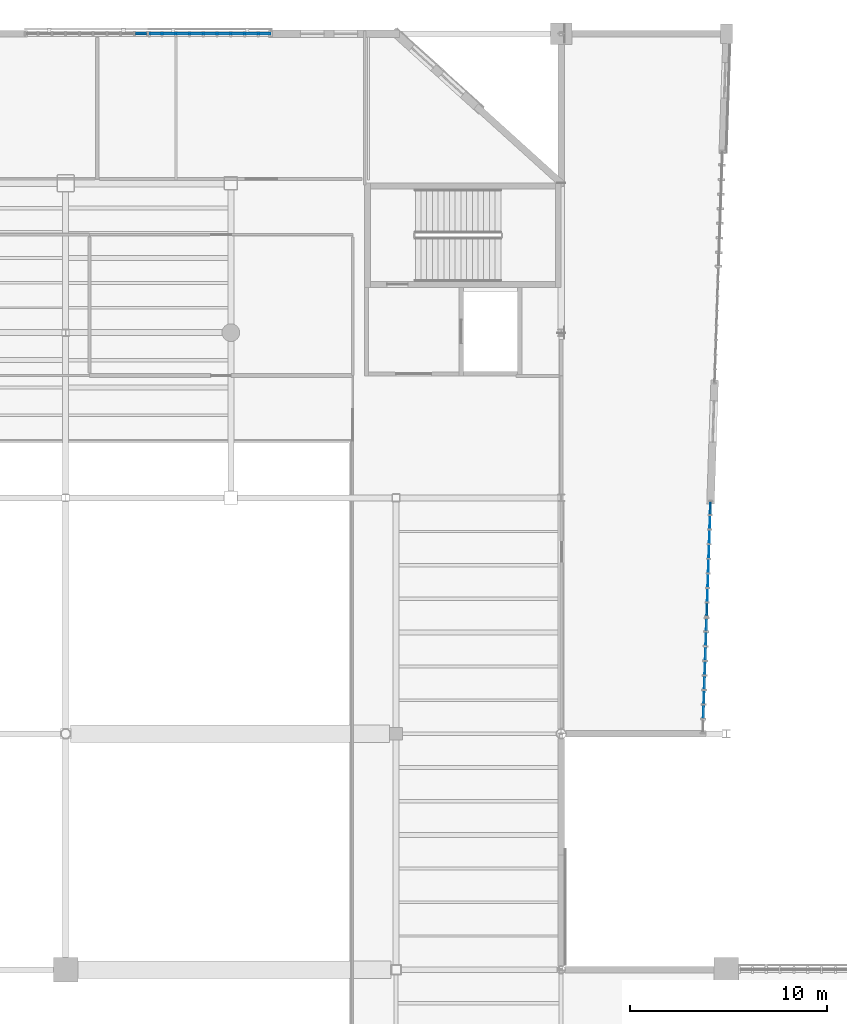
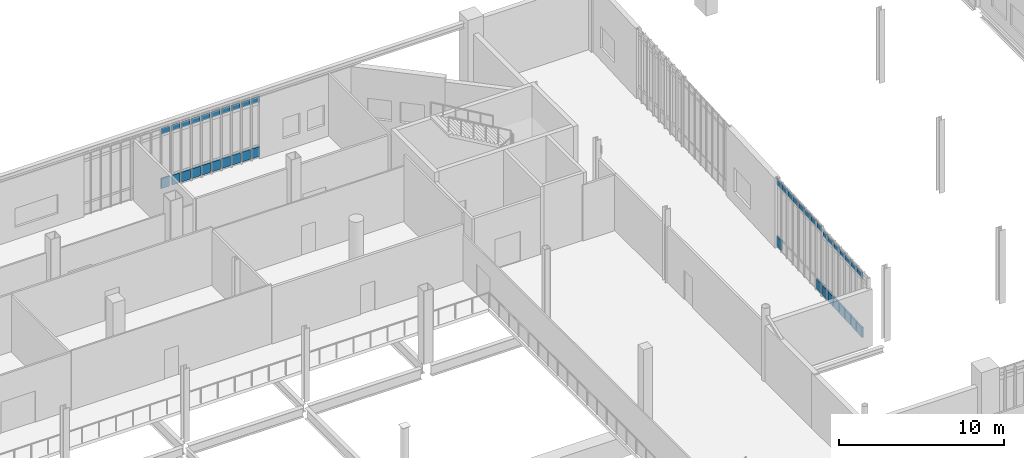
# One storey, part 98 of 127: 44 plates, 4 elements without a shape of their own.
"""IFC4 building model written with IfcOpenShell, lengths in metres."""

import ifcopenshell
import ifcopenshell.guid

model = None  # the IFC model being written
_history = None  # IfcOwnerHistory: only IFC2X3 demands one
_inside = {}  # id of a spatial element -> (the spatial element, [elements in it])
_under = {}  # id of a project, library or spatial element -> (it, [spatial elements below it])
_declared = {}  # id of a project -> (the project, [libraries it declares])
_typed = {}  # id of a type object -> (the type object, [elements of that type])
_made_of = {}  # id of a material, layer set ... -> (it, [elements and type objects made of it])


def new_model(schema):
    """Start an empty IFC model of exactly this schema.

    Asked for "IFC4X3", IfcOpenShell would pick the latest addendum, in which some entities
    have other attributes; the version numbers below select the first issue.
    IFC2X3 requires an IfcOwnerHistory on every rooted entity: one is made here for all.
    """
    global model, _history
    if schema == "IFC4X3":
        model = ifcopenshell.file(schema_version=(4, 3, 0, 0))
    else:
        model = ifcopenshell.file(schema=schema)
    _inside.clear()
    _under.clear()
    _declared.clear()
    _typed.clear()
    _made_of.clear()
    _history = None
    if model.schema == "IFC2X3":
        org = make("IfcOrganization", Name="unknown")
        user = make(
            "IfcPersonAndOrganization",
            ThePerson=make("IfcPerson", FamilyName="unknown"),
            TheOrganization=org,
        )
        app = make(
            "IfcApplication",
            ApplicationDeveloper=org,
            Version="unknown",
            ApplicationFullName="unknown",
            ApplicationIdentifier="unknown",
        )
        _history = make(
            "IfcOwnerHistory",
            OwningUser=user,
            OwningApplication=app,
            ChangeAction="ADDED",
            CreationDate=0,
        )
    return model


def make(cls, **values):
    """One entity of the class cls with the attributes given. An attribute that is None is left unset."""
    return model.create_entity(
        cls, **{name: value for name, value in values.items() if value is not None}
    )


def rooted(cls, **values):
    """An entity with a GlobalId (a new one), such as an element, a storey or a relation."""
    return make(cls, GlobalId=ifcopenshell.guid.new(), OwnerHistory=_history, **values)


def si_unit(unit_type, name, prefix=None):
    """IfcSIUnit, for example si_unit("LENGTHUNIT", "METRE", prefix="MILLI")."""
    return make("IfcSIUnit", UnitType=unit_type, Prefix=prefix, Name=name)


def assignment(units):
    """IfcUnitAssignment: the units of a project."""
    return None if units is None else make("IfcUnitAssignment", Units=units)


def point(xyz):
    """IfcCartesianPoint."""
    return None if xyz is None else make("IfcCartesianPoint", Coordinates=xyz)


def direction(xyz):
    """IfcDirection."""
    return None if xyz is None else make("IfcDirection", DirectionRatios=xyz)


def frame(location, z_axis=None, x_axis=None):
    """IfcAxis2Placement3D, a coordinate frame: its origin and axes. An axis left out is left unset."""
    return make(
        "IfcAxis2Placement3D",
        Location=point(location),
        Axis=direction(z_axis),
        RefDirection=direction(x_axis),
    )


def frame_2d(location, x_axis=None):
    """IfcAxis2Placement2D, a coordinate frame in the plane: its origin and x axis."""
    return make(
        "IfcAxis2Placement2D", Location=point(location), RefDirection=direction(x_axis)
    )


def origin():
    """The frame at (0, 0, 0) with its axes left unset."""
    return frame((0.0, 0.0, 0.0))


def origin_2d():
    """The frame at (0, 0) in the plane with its x axis left unset."""
    return frame_2d((0.0, 0.0))


def place(relative_to, where):
    """IfcLocalPlacement: puts the frame where relative to a parent placement (None: the world)."""
    return make(
        "IfcLocalPlacement", PlacementRelTo=relative_to, RelativePlacement=where
    )


def context(
    kind, dimensions, precision=None, world=None, true_north=None, identifier=None
):
    """IfcGeometricRepresentationContext, for example the 3D "Model" context."""
    return make(
        "IfcGeometricRepresentationContext",
        ContextIdentifier=identifier,
        ContextType=kind,
        CoordinateSpaceDimension=dimensions,
        Precision=precision,
        WorldCoordinateSystem=world,
        TrueNorth=true_north,
    )


def subcontext(parent, identifier, kind, view, scale=None):
    """IfcGeometricRepresentationSubContext, for example "Body" below "Model"."""
    return make(
        "IfcGeometricRepresentationSubContext",
        ContextIdentifier=identifier,
        ContextType=kind,
        ParentContext=parent,
        TargetScale=scale,
        TargetView=view,
    )


def project(units=None, contexts=None):
    """IfcProject with its units and contexts."""
    return rooted(
        "IfcProject",
        Name="project",
        RepresentationContexts=contexts,
        UnitsInContext=assignment(units),
    )


def spatial(cls, under=None, at=None, **own):
    """A site, building, storey or space (cls), placed at a placement, below another one or the project."""
    s = rooted(cls, ObjectPlacement=at, **own)
    if under is not None:
        _under.setdefault(under.id(), (under, []))[1].append(s)
    return s


def profile(cls, at=None, kind="AREA", **sizes):
    """A parametric profile (cls). Its sizes go by their IFC names, for example OverallWidth=200.0."""
    return make(cls, ProfileType=kind, Position=at, **sizes)


def rectangle(**sizes):
    """IfcRectangleProfileDef."""
    return profile("IfcRectangleProfileDef", **sizes)


def extrude(swept, where, along, depth):
    """IfcExtrudedAreaSolid: the profile swept, set in the frame where, extruded along a direction by depth."""
    return make(
        "IfcExtrudedAreaSolid",
        SweptArea=swept,
        Position=where,
        ExtrudedDirection=direction(along),
        Depth=depth,
    )


def shape(context_of_items, identifier, shape_type, items):
    """IfcShapeRepresentation: the items that make up one representation, for example the "Body"."""
    return make(
        "IfcShapeRepresentation",
        ContextOfItems=context_of_items,
        RepresentationIdentifier=identifier,
        RepresentationType=shape_type,
        Items=items,
    )


def material(Name=None, Category=None):
    """IfcMaterial."""
    return make("IfcMaterial", Name=Name, Category=Category)


def layer(
    of_material, thickness, ventilated=None, Name=None, Category=None, Priority=None
):
    """IfcMaterialLayer: one layer of a wall or slab, of a material (None: an air gap)."""
    return make(
        "IfcMaterialLayer",
        Material=of_material,
        LayerThickness=thickness,
        IsVentilated=ventilated,
        Name=Name,
        Category=Category,
        Priority=Priority,
    )


def layer_set(layers, Name=None):
    """IfcMaterialLayerSet."""
    return make("IfcMaterialLayerSet", MaterialLayers=layers, LayerSetName=Name)


def made_of(thing, what):
    """Note that an element or type object is made of a material, layer set ...; save() writes the relation."""
    if what is not None:
        _made_of.setdefault(what.id(), (what, []))[1].append(thing)
    return thing


def type_object(cls, material=None, **own):
    """A type object (cls), such as IfcWallType, which elements share."""
    return made_of(rooted(cls, **own), material)


def element(
    cls,
    number,
    at=None,
    inside=None,
    cuts=None,
    type_object=None,
    material=None,
    context=None,
    identifier="Body",
    shape_type=None,
    held_by="IfcProductDefinitionShape",
    body=None,
    shapes=None,
    **own,
):
    """One element of the class cls, such as IfcWall. Its Tag is "e" and its number.

    at: its placement. inside: the storey or other place that contains it. cuts: it is an
    opening in that element (IfcRelVoidsElement). A single representation is given by context,
    identifier, shape_type and body (its items); several are given by shapes. held_by: the class
    of the entity that holds the representations. save() writes the other relations.
    """
    e = rooted(cls, Tag="e%d" % number, ObjectPlacement=at, **own)
    if body is not None:
        shapes = [shape(context, identifier, shape_type, body)]
    if shapes is not None:
        e.Representation = make(held_by, Representations=shapes)
    if inside is not None:
        _inside.setdefault(inside.id(), (inside, []))[1].append(e)
    if cuts is not None:
        rooted(
            "IfcRelVoidsElement", RelatingBuildingElement=cuts, RelatedOpeningElement=e
        )
    if type_object is not None:
        _typed.setdefault(type_object.id(), (type_object, []))[1].append(e)
    return made_of(e, material)


def aggregate(whole, parts):
    """IfcRelAggregates: a whole, such as a stair, and the parts it consists of."""
    return rooted("IfcRelAggregates", RelatingObject=whole, RelatedObjects=parts)


def save(model, path):
    """Write the relations noted so far, then the file.

    IfcRelAggregates (storeys below a building ...), IfcRelContainedInSpatialStructure (elements
    in a storey), IfcRelDefinesByType, IfcRelAssociatesMaterial and IfcRelDeclares: one each for
    every whole, place, type object, material and project.
    """
    for whole, parts in _under.values():
        aggregate(whole, parts)
    for where, things in _inside.values():
        rooted(
            "IfcRelContainedInSpatialStructure",
            RelatedElements=things,
            RelatingStructure=where,
        )
    for kind, things in _typed.values():
        rooted("IfcRelDefinesByType", RelatedObjects=things, RelatingType=kind)
    for what, things in _made_of.values():
        rooted("IfcRelAssociatesMaterial", RelatedObjects=things, RelatingMaterial=what)
    for by, libraries in _declared.values():
        rooted("IfcRelDeclares", RelatingContext=by, RelatedDefinitions=libraries)
    model.write(path)


model = new_model("IFC4")

# Units and contexts
model_context = context("Model", 3, precision=1e-05, world=origin(), true_north=direction((0.0, 1.0)))
body_context = subcontext(model_context, "Body", "Model", "MODEL_VIEW")
ifc_project = project(units=[si_unit("LENGTHUNIT", "METRE"), si_unit("AREAUNIT", "SQUARE_METRE"), si_unit("VOLUMEUNIT", "CUBIC_METRE"), si_unit("PLANEANGLEUNIT", "RADIAN"), si_unit("MASSUNIT", "GRAM", prefix="KILO")], contexts=[model_context])

# Site, building, storey
site_placement = place(None, origin())
site = spatial("IfcSite", under=ifc_project, at=site_placement, CompositionType="ELEMENT")
building_placement = place(site_placement, origin())
building = spatial("IfcBuilding", under=site, at=building_placement, Name="Larkvane Passage Sports Hall", CompositionType="ELEMENT")
storey_placement = place(building_placement, frame((0.0, 0.0, 5.39990234375)))
storey = spatial("IfcBuildingStorey", under=building, at=storey_placement, Name="L01", CompositionType="ELEMENT", Elevation=5.39990234375)

# Curtain wall, plates
ifc_material_1 = material(Name="Thermally broken aluminium and low-E glazing", Category="aluminium")
curtain_wall_type_1 = type_object("IfcCurtainWallType", Name="CW-STICK-FOYER", PredefinedType="USERDEFINED", material=ifc_material_1)
curtain_wall_1_placement = place(storey_placement, origin())
curtain_wall_1 = element("IfcCurtainWall", 1, at=curtain_wall_1_placement, inside=storey, type_object=curtain_wall_type_1, Name="Curtain wall CW5-L01-042", ObjectType="STICK CURTAIN WALL", PredefinedType="USERDEFINED")
ifc_material_2 = material(Name="Fire-stopped shadow-box spandrel panel")
ifc_layer_1 = layer(ifc_material_2, 0.10498046875)
ifc_layer_set_1 = layer_set([ifc_layer_1], Name="Fire-stopped shadow-box spandrel panel")
plate_type_1 = type_object("IfcPlateType", Name="CWP-SPD-105", PredefinedType="CURTAIN_PANEL", material=ifc_layer_set_1)
plate_1_placement = place(storey_placement, frame((72.972412109375, 99.199951171875, 0.08984375), z_axis=(0.0, 0.0, 1.0), x_axis=(1.0, 0.0, 0.0)))
plate_1 = element("IfcPlate", 2, at=plate_1_placement, type_object=plate_type_1, Name="CW-03 panel 1.1", PredefinedType="CURTAIN_PANEL", context=body_context, shape_type="SweptSolid", body=[
    extrude(rectangle(XDim=0.56494140625, YDim=0.10498046875, at=origin_2d()), origin(), (0.0, 0.0, 1.0), 0.715087890625),
])
plate_2_placement = place(storey_placement, frame((73.64990234375, 99.199951171875, 0.08984375), z_axis=(0.0, 0.0, 1.0), x_axis=(1.0, 0.0, 0.0)))
plate_2 = element("IfcPlate", 3, at=plate_2_placement, type_object=plate_type_1, Name="CW-03 panel 2.1", PredefinedType="CURTAIN_PANEL", context=body_context, shape_type="SweptSolid", body=[
    extrude(rectangle(XDim=0.610107421875, YDim=0.10498046875, at=origin_2d()), origin(), (0.0, 0.0, 1.0), 0.715087890625),
])
plate_3_placement = place(storey_placement, frame((74.35009765625, 99.199951171875, 0.08984375), z_axis=(0.0, 0.0, 1.0), x_axis=(1.0, 0.0, 0.0)))
plate_3 = element("IfcPlate", 4, at=plate_3_placement, type_object=plate_type_1, Name="CW-03 panel 3.1", PredefinedType="CURTAIN_PANEL", context=body_context, shape_type="SweptSolid", body=[
    extrude(rectangle(XDim=0.610107421875, YDim=0.10498046875, at=origin_2d()), origin(), (0.0, 0.0, 1.0), 0.715087890625),
])
plate_4_placement = place(storey_placement, frame((75.050048828125, 99.199951171875, 0.08984375), z_axis=(0.0, 0.0, 1.0), x_axis=(1.0, 0.0, 0.0)))
plate_4 = element("IfcPlate", 5, at=plate_4_placement, type_object=plate_type_1, Name="CW-03 panel 4.1", PredefinedType="CURTAIN_PANEL", context=body_context, shape_type="SweptSolid", body=[
    extrude(rectangle(XDim=0.610107421875, YDim=0.10498046875, at=origin_2d()), origin(), (0.0, 0.0, 1.0), 0.715087890625),
])
plate_5_placement = place(storey_placement, frame((75.75, 99.199951171875, 0.08984375), z_axis=(0.0, 0.0, 1.0), x_axis=(1.0, 0.0, 0.0)))
plate_5 = element("IfcPlate", 6, at=plate_5_placement, type_object=plate_type_1, Name="CW-03 panel 5.1", PredefinedType="CURTAIN_PANEL", context=body_context, shape_type="SweptSolid", body=[
    extrude(rectangle(XDim=0.610107421875, YDim=0.10498046875, at=origin_2d()), origin(), (0.0, 0.0, 1.0), 0.715087890625),
])
plate_6_placement = place(storey_placement, frame((76.449951171875, 99.199951171875, 0.08984375), z_axis=(0.0, 0.0, 1.0), x_axis=(1.0, 0.0, 0.0)))
plate_6 = element("IfcPlate", 7, at=plate_6_placement, type_object=plate_type_1, Name="CW-03 panel 6.1", PredefinedType="CURTAIN_PANEL", context=body_context, shape_type="SweptSolid", body=[
    extrude(rectangle(XDim=0.610107421875, YDim=0.10498046875, at=origin_2d()), origin(), (0.0, 0.0, 1.0), 0.715087890625),
])
plate_7_placement = place(storey_placement, frame((77.14990234375, 99.199951171875, 0.08984375), z_axis=(0.0, 0.0, 1.0), x_axis=(1.0, 0.0, 0.0)))
plate_7 = element("IfcPlate", 8, at=plate_7_placement, type_object=plate_type_1, Name="CW-03 panel 7.1", PredefinedType="CURTAIN_PANEL", context=body_context, shape_type="SweptSolid", body=[
    extrude(rectangle(XDim=0.610107421875, YDim=0.10498046875, at=origin_2d()), origin(), (0.0, 0.0, 1.0), 0.715087890625),
])
plate_8_placement = place(storey_placement, frame((77.85009765625, 99.199951171875, 0.08984375), z_axis=(0.0, 0.0, 1.0), x_axis=(1.0, 0.0, 0.0)))
plate_8 = element("IfcPlate", 9, at=plate_8_placement, type_object=plate_type_1, Name="CW-03 panel 8.1", PredefinedType="CURTAIN_PANEL", context=body_context, shape_type="SweptSolid", body=[
    extrude(rectangle(XDim=0.610107421875, YDim=0.10498046875, at=origin_2d()), origin(), (0.0, 0.0, 1.0), 0.715087890625),
])
plate_9_placement = place(storey_placement, frame((78.527587890625, 99.199951171875, 0.08984375), z_axis=(0.0, 0.0, 1.0), x_axis=(1.0, 0.0, 0.0)))
plate_9 = element("IfcPlate", 10, at=plate_9_placement, type_object=plate_type_1, Name="CW-03 panel 9.1", PredefinedType="CURTAIN_PANEL", context=body_context, shape_type="SweptSolid", body=[
    extrude(rectangle(XDim=0.56494140625, YDim=0.10498046875, at=origin_2d()), origin(), (0.0, 0.0, 1.0), 0.715087890625),
])

curtain_wall_2_placement = place(storey_placement, origin())
curtain_wall_2 = element("IfcCurtainWall", 11, at=curtain_wall_2_placement, inside=storey, type_object=curtain_wall_type_1, Name="Curtain wall CW5-L01-046", ObjectType="STICK CURTAIN WALL", PredefinedType="USERDEFINED")
plate_10_placement = place(storey_placement, frame((100.98681640625, 69.142578125, 0.080078125), z_axis=(0.0, 0.0, 1.0), x_axis=(-0.033688920742, -0.999432367206, 0.0)))
plate_10 = element("IfcPlate", 12, at=plate_10_placement, type_object=plate_type_1, Name="CW-03 panel 1.1", PredefinedType="CURTAIN_PANEL", context=body_context, shape_type="SweptSolid", body=[
    extrude(rectangle(XDim=0.6220703125, YDim=0.10498046875, at=origin_2d()), origin(), (0.0, 0.0, 1.0), 0.72998046875),
])
plate_11_placement = place(storey_placement, frame((100.96240234375, 68.4208984375, 0.080078125), z_axis=(0.0, 0.0, 1.0), x_axis=(-0.033688920742, -0.999432367206, 0.0)))
plate_11 = element("IfcPlate", 13, at=plate_11_placement, type_object=plate_type_1, Name="CW-03 panel 2.1", PredefinedType="CURTAIN_PANEL", context=body_context, shape_type="SweptSolid", body=[
    extrude(rectangle(XDim=0.662109375, YDim=0.10498046875, at=origin_2d()), origin(), (0.0, 0.0, 1.0), 0.72998046875),
])
plate_12_placement = place(storey_placement, frame((100.9375, 67.67919921875, 0.080078125), z_axis=(0.0, 0.0, 1.0), x_axis=(-0.033688920742, -0.999432367206, 0.0)))
plate_12 = element("IfcPlate", 14, at=plate_12_placement, type_object=plate_type_1, Name="CW-03 panel 3.1", PredefinedType="CURTAIN_PANEL", context=body_context, shape_type="SweptSolid", body=[
    extrude(rectangle(XDim=0.662109375, YDim=0.10498046875, at=origin_2d()), origin(), (0.0, 0.0, 1.0), 0.72998046875),
])
plate_13_placement = place(storey_placement, frame((100.91259765625, 66.9375, 0.080078125), z_axis=(0.0, 0.0, 1.0), x_axis=(-0.033688920742, -0.999432367206, 0.0)))
plate_13 = element("IfcPlate", 15, at=plate_13_placement, type_object=plate_type_1, Name="CW-03 panel 4.1", PredefinedType="CURTAIN_PANEL", context=body_context, shape_type="SweptSolid", body=[
    extrude(rectangle(XDim=0.662109375, YDim=0.10498046875, at=origin_2d()), origin(), (0.0, 0.0, 1.0), 0.72998046875),
])
plate_14_placement = place(storey_placement, frame((100.887451171875, 66.19580078125, 0.080078125), z_axis=(0.0, 0.0, 1.0), x_axis=(-0.033688920742, -0.999432367206, 0.0)))
plate_14 = element("IfcPlate", 16, at=plate_14_placement, type_object=plate_type_1, Name="CW-03 panel 5.1", PredefinedType="CURTAIN_PANEL", context=body_context, shape_type="SweptSolid", body=[
    extrude(rectangle(XDim=0.662109375, YDim=0.10498046875, at=origin_2d()), origin(), (0.0, 0.0, 1.0), 0.72998046875),
])
plate_15_placement = place(storey_placement, frame((100.862548828125, 65.4541015625, 0.080078125), z_axis=(0.0, 0.0, 1.0), x_axis=(-0.033688920742, -0.999432367206, 0.0)))
plate_15 = element("IfcPlate", 17, at=plate_15_placement, type_object=plate_type_1, Name="CW-03 panel 6.1", PredefinedType="CURTAIN_PANEL", context=body_context, shape_type="SweptSolid", body=[
    extrude(rectangle(XDim=0.662109375, YDim=0.10498046875, at=origin_2d()), origin(), (0.0, 0.0, 1.0), 0.72998046875),
])
plate_16_placement = place(storey_placement, frame((100.83740234375, 64.71240234375, 0.080078125), z_axis=(0.0, 0.0, 1.0), x_axis=(-0.033688920742, -0.999432367206, 0.0)))
plate_16 = element("IfcPlate", 18, at=plate_16_placement, type_object=plate_type_1, Name="CW-03 panel 7.1", PredefinedType="CURTAIN_PANEL", context=body_context, shape_type="SweptSolid", body=[
    extrude(rectangle(XDim=0.662109375, YDim=0.10498046875, at=origin_2d()), origin(), (0.0, 0.0, 1.0), 0.72998046875),
])

# Curtain wall, plate
curtain_wall_type_2 = type_object("IfcCurtainWallType", Name="CW-UNIT-VEIL", PredefinedType="USERDEFINED", material=ifc_material_1)
curtain_wall_3_placement = place(storey_placement, origin())
curtain_wall_3 = element("IfcCurtainWall", 19, at=curtain_wall_3_placement, inside=storey, type_object=curtain_wall_type_2, Name="Curtain wall CW5-L01-041", ObjectType="UNITISED CURTAIN WALL", PredefinedType="USERDEFINED")
ifc_material_3 = material(Name="Mineral-wool insulated spandrel cassette")
ifc_layer_2 = layer(ifc_material_3, 0.0849609375)
ifc_layer_set_2 = layer_set([ifc_layer_2], Name="Mineral-wool insulated spandrel cassette")
plate_type_2 = type_object("IfcPlateType", Name="CWP-SPD-85", PredefinedType="CURTAIN_PANEL", material=ifc_layer_set_2)
plate_17_placement = place(storey_placement, frame((72.231201171875, 99.199951171875, 0.0751953125), z_axis=(0.0, 0.0, 1.0), x_axis=(1.0, 0.0, 0.0)))
plate_17 = element("IfcPlate", 20, at=plate_17_placement, type_object=plate_type_2, Name="CW-02 panel 9.1", PredefinedType="CURTAIN_PANEL", context=body_context, shape_type="SweptSolid", body=[
    extrude(rectangle(XDim=0.58740234375, YDim=0.0849609375, at=origin_2d()), origin(), (0.0, 0.0, 1.0), 0.737548828125),
])

# Curtain wall, plates
curtain_wall_4_placement = place(storey_placement, origin())
curtain_wall_4 = element("IfcCurtainWall", 21, at=curtain_wall_4_placement, inside=storey, type_object=curtain_wall_type_2, Name="Curtain wall CW5-L01-045", ObjectType="UNITISED CURTAIN WALL", PredefinedType="USERDEFINED")
plate_18_placement = place(storey_placement, frame((101.18701171875, 75.078369140625, 0.070068359375), z_axis=(0.0, 0.0, 1.0), x_axis=(-0.033688353605, -0.999432386323, 0.0)))
plate_18 = element("IfcPlate", 22, at=plate_18_placement, type_object=plate_type_2, Name="CW-02 panel 1.1", PredefinedType="CURTAIN_PANEL", context=body_context, shape_type="SweptSolid", body=[
    extrude(rectangle(XDim=0.63720703125, YDim=0.0849609375, at=origin_2d()), origin(), (0.0, 0.0, 1.0), 0.7451171875),
])
plate_19_placement = place(storey_placement, frame((101.01318359375, 69.921630859375, 0.070068359375), z_axis=(0.0, 0.0, 1.0), x_axis=(-0.033688353605, -0.999432386323, 0.0)))
plate_19 = element("IfcPlate", 23, at=plate_19_placement, type_object=plate_type_2, Name="CW-02 panel 8.1", PredefinedType="CURTAIN_PANEL", context=body_context, shape_type="SweptSolid", body=[
    extrude(rectangle(XDim=0.63720703125, YDim=0.0849609375, at=origin_2d()), origin(), (0.0, 0.0, 1.0), 0.7451171875),
])

# Plate
ifc_material_4 = material(Name="Laminated acoustic low-E glazing", Category="glass")
ifc_layer_3 = layer(ifc_material_4, 0.031982421875)
ifc_layer_set_3 = layer_set([ifc_layer_3], Name="Laminated acoustic low-E glazing")
plate_type_3 = type_object("IfcPlateType", Name="CWP-VIS-32", PredefinedType="CURTAIN_PANEL", material=ifc_layer_set_3)
plate_20_placement = place(storey_placement, frame((72.231201171875, 99.199951171875, 4.065673828125), z_axis=(0.0, 0.0, 1.0), x_axis=(1.0, 0.0, 0.0)))
plate_20 = element("IfcPlate", 24, at=plate_20_placement, type_object=plate_type_3, Name="CW-02 panel 9.3", PredefinedType="CURTAIN_PANEL", context=body_context, shape_type="SweptSolid", body=[
    extrude(rectangle(XDim=0.58740234375, YDim=0.031982421875, at=origin_2d()), origin(), (0.0, 0.0, 1.0), 0.4375),
])

aggregate(curtain_wall_3, [plate_17, plate_20])

plate_21_placement = place(storey_placement, frame((101.18701171875, 75.078369140625, 4.5849609375), z_axis=(0.0, 0.0, 1.0), x_axis=(-0.033688353605, -0.999432386323, 0.0)))
plate_21 = element("IfcPlate", 25, at=plate_21_placement, type_object=plate_type_3, Name="CW-02 panel 1.3", PredefinedType="CURTAIN_PANEL", context=body_context, shape_type="SweptSolid", body=[
    extrude(rectangle(XDim=0.63720703125, YDim=0.031982421875, at=origin_2d()), origin(), (0.0, 0.0, 1.0), 0.445068359375),
])

plate_22_placement = place(storey_placement, frame((101.16259765625, 74.354248046875, 4.5849609375), z_axis=(0.0, 0.0, 1.0), x_axis=(-0.033688353605, -0.999432386323, 0.0)))
plate_22 = element("IfcPlate", 26, at=plate_22_placement, type_object=plate_type_3, Name="CW-02 panel 2.3", PredefinedType="CURTAIN_PANEL", context=body_context, shape_type="SweptSolid", body=[
    extrude(rectangle(XDim=0.672119140625, YDim=0.031982421875, at=origin_2d()), origin(), (0.0, 0.0, 1.0), 0.445068359375),
])

plate_23_placement = place(storey_placement, frame((101.137451171875, 73.612548828125, 4.5849609375), z_axis=(0.0, 0.0, 1.0), x_axis=(-0.033688353605, -0.999432386323, 0.0)))
plate_23 = element("IfcPlate", 27, at=plate_23_placement, type_object=plate_type_3, Name="CW-02 panel 3.3", PredefinedType="CURTAIN_PANEL", context=body_context, shape_type="SweptSolid", body=[
    extrude(rectangle(XDim=0.672119140625, YDim=0.031982421875, at=origin_2d()), origin(), (0.0, 0.0, 1.0), 0.445068359375),
])

plate_24_placement = place(storey_placement, frame((101.112548828125, 72.870849609375, 4.5849609375), z_axis=(0.0, 0.0, 1.0), x_axis=(-0.033688353605, -0.999432386323, 0.0)))
plate_24 = element("IfcPlate", 28, at=plate_24_placement, type_object=plate_type_3, Name="CW-02 panel 4.3", PredefinedType="CURTAIN_PANEL", context=body_context, shape_type="SweptSolid", body=[
    extrude(rectangle(XDim=0.672119140625, YDim=0.031982421875, at=origin_2d()), origin(), (0.0, 0.0, 1.0), 0.445068359375),
])

plate_25_placement = place(storey_placement, frame((101.08740234375, 72.129150390625, 4.5849609375), z_axis=(0.0, 0.0, 1.0), x_axis=(-0.033688353605, -0.999432386323, 0.0)))
plate_25 = element("IfcPlate", 29, at=plate_25_placement, type_object=plate_type_3, Name="CW-02 panel 5.3", PredefinedType="CURTAIN_PANEL", context=body_context, shape_type="SweptSolid", body=[
    extrude(rectangle(XDim=0.672119140625, YDim=0.031982421875, at=origin_2d()), origin(), (0.0, 0.0, 1.0), 0.445068359375),
])

plate_26_placement = place(storey_placement, frame((101.0625, 71.387451171875, 4.5849609375), z_axis=(0.0, 0.0, 1.0), x_axis=(-0.033688353605, -0.999432386323, 0.0)))
plate_26 = element("IfcPlate", 30, at=plate_26_placement, type_object=plate_type_3, Name="CW-02 panel 6.3", PredefinedType="CURTAIN_PANEL", context=body_context, shape_type="SweptSolid", body=[
    extrude(rectangle(XDim=0.672119140625, YDim=0.031982421875, at=origin_2d()), origin(), (0.0, 0.0, 1.0), 0.445068359375),
])

plate_27_placement = place(storey_placement, frame((101.03759765625, 70.645751953125, 4.5849609375), z_axis=(0.0, 0.0, 1.0), x_axis=(-0.033688353605, -0.999432386323, 0.0)))
plate_27 = element("IfcPlate", 31, at=plate_27_placement, type_object=plate_type_3, Name="CW-02 panel 7.3", PredefinedType="CURTAIN_PANEL", context=body_context, shape_type="SweptSolid", body=[
    extrude(rectangle(XDim=0.672119140625, YDim=0.031982421875, at=origin_2d()), origin(), (0.0, 0.0, 1.0), 0.445068359375),
])

plate_28_placement = place(storey_placement, frame((101.01318359375, 69.921630859375, 4.5849609375), z_axis=(0.0, 0.0, 1.0), x_axis=(-0.033688353605, -0.999432386323, 0.0)))
plate_28 = element("IfcPlate", 32, at=plate_28_placement, type_object=plate_type_3, Name="CW-02 panel 8.3", PredefinedType="CURTAIN_PANEL", context=body_context, shape_type="SweptSolid", body=[
    extrude(rectangle(XDim=0.63720703125, YDim=0.031982421875, at=origin_2d()), origin(), (0.0, 0.0, 1.0), 0.445068359375),
])

aggregate(curtain_wall_4, [plate_18, plate_21, plate_22, plate_23, plate_24, plate_25, plate_26, plate_27, plate_19, plate_28])

ifc_material_5 = material(Name="High-impact court low-E glazing", Category="glass")
ifc_layer_4 = layer(ifc_material_5, 0.035888671875)
ifc_layer_set_4 = layer_set([ifc_layer_4], Name="High-impact court low-E glazing")
plate_type_4 = type_object("IfcPlateType", Name="CWP-VIS-36", PredefinedType="CURTAIN_PANEL", material=ifc_layer_set_4)
plate_29_placement = place(storey_placement, frame((72.972412109375, 99.199951171875, 4.072998046875), z_axis=(0.0, 0.0, 1.0), x_axis=(1.0, 0.0, 0.0)))
plate_29 = element("IfcPlate", 33, at=plate_29_placement, type_object=plate_type_4, Name="CW-03 panel 1.3", PredefinedType="CURTAIN_PANEL", context=body_context, shape_type="SweptSolid", body=[
    extrude(rectangle(XDim=0.56494140625, YDim=0.035888671875, at=origin_2d()), origin(), (0.0, 0.0, 1.0), 0.4150390625),
])

plate_30_placement = place(storey_placement, frame((73.64990234375, 99.199951171875, 4.072998046875), z_axis=(0.0, 0.0, 1.0), x_axis=(1.0, 0.0, 0.0)))
plate_30 = element("IfcPlate", 34, at=plate_30_placement, type_object=plate_type_4, Name="CW-03 panel 2.3", PredefinedType="CURTAIN_PANEL", context=body_context, shape_type="SweptSolid", body=[
    extrude(rectangle(XDim=0.610107421875, YDim=0.035888671875, at=origin_2d()), origin(), (0.0, 0.0, 1.0), 0.4150390625),
])

plate_31_placement = place(storey_placement, frame((74.35009765625, 99.199951171875, 4.072998046875), z_axis=(0.0, 0.0, 1.0), x_axis=(1.0, 0.0, 0.0)))
plate_31 = element("IfcPlate", 35, at=plate_31_placement, type_object=plate_type_4, Name="CW-03 panel 3.3", PredefinedType="CURTAIN_PANEL", context=body_context, shape_type="SweptSolid", body=[
    extrude(rectangle(XDim=0.610107421875, YDim=0.035888671875, at=origin_2d()), origin(), (0.0, 0.0, 1.0), 0.4150390625),
])

plate_32_placement = place(storey_placement, frame((75.050048828125, 99.199951171875, 4.072998046875), z_axis=(0.0, 0.0, 1.0), x_axis=(1.0, 0.0, 0.0)))
plate_32 = element("IfcPlate", 36, at=plate_32_placement, type_object=plate_type_4, Name="CW-03 panel 4.3", PredefinedType="CURTAIN_PANEL", context=body_context, shape_type="SweptSolid", body=[
    extrude(rectangle(XDim=0.610107421875, YDim=0.035888671875, at=origin_2d()), origin(), (0.0, 0.0, 1.0), 0.4150390625),
])

plate_33_placement = place(storey_placement, frame((75.75, 99.199951171875, 4.072998046875), z_axis=(0.0, 0.0, 1.0), x_axis=(1.0, 0.0, 0.0)))
plate_33 = element("IfcPlate", 37, at=plate_33_placement, type_object=plate_type_4, Name="CW-03 panel 5.3", PredefinedType="CURTAIN_PANEL", context=body_context, shape_type="SweptSolid", body=[
    extrude(rectangle(XDim=0.610107421875, YDim=0.035888671875, at=origin_2d()), origin(), (0.0, 0.0, 1.0), 0.4150390625),
])

plate_34_placement = place(storey_placement, frame((76.449951171875, 99.199951171875, 4.072998046875), z_axis=(0.0, 0.0, 1.0), x_axis=(1.0, 0.0, 0.0)))
plate_34 = element("IfcPlate", 38, at=plate_34_placement, type_object=plate_type_4, Name="CW-03 panel 6.3", PredefinedType="CURTAIN_PANEL", context=body_context, shape_type="SweptSolid", body=[
    extrude(rectangle(XDim=0.610107421875, YDim=0.035888671875, at=origin_2d()), origin(), (0.0, 0.0, 1.0), 0.4150390625),
])

plate_35_placement = place(storey_placement, frame((77.14990234375, 99.199951171875, 4.072998046875), z_axis=(0.0, 0.0, 1.0), x_axis=(1.0, 0.0, 0.0)))
plate_35 = element("IfcPlate", 39, at=plate_35_placement, type_object=plate_type_4, Name="CW-03 panel 7.3", PredefinedType="CURTAIN_PANEL", context=body_context, shape_type="SweptSolid", body=[
    extrude(rectangle(XDim=0.610107421875, YDim=0.035888671875, at=origin_2d()), origin(), (0.0, 0.0, 1.0), 0.4150390625),
])

plate_36_placement = place(storey_placement, frame((77.85009765625, 99.199951171875, 4.072998046875), z_axis=(0.0, 0.0, 1.0), x_axis=(1.0, 0.0, 0.0)))
plate_36 = element("IfcPlate", 40, at=plate_36_placement, type_object=plate_type_4, Name="CW-03 panel 8.3", PredefinedType="CURTAIN_PANEL", context=body_context, shape_type="SweptSolid", body=[
    extrude(rectangle(XDim=0.610107421875, YDim=0.035888671875, at=origin_2d()), origin(), (0.0, 0.0, 1.0), 0.4150390625),
])

plate_37_placement = place(storey_placement, frame((78.527587890625, 99.199951171875, 4.072998046875), z_axis=(0.0, 0.0, 1.0), x_axis=(1.0, 0.0, 0.0)))
plate_37 = element("IfcPlate", 41, at=plate_37_placement, type_object=plate_type_4, Name="CW-03 panel 9.3", PredefinedType="CURTAIN_PANEL", context=body_context, shape_type="SweptSolid", body=[
    extrude(rectangle(XDim=0.56494140625, YDim=0.035888671875, at=origin_2d()), origin(), (0.0, 0.0, 1.0), 0.4150390625),
])

aggregate(curtain_wall_1, [plate_1, plate_29, plate_2, plate_30, plate_3, plate_31, plate_4, plate_32, plate_5, plate_33, plate_6, plate_34, plate_7, plate_35, plate_8, plate_36, plate_9, plate_37])

plate_38_placement = place(storey_placement, frame((100.98681640625, 69.142578125, 4.42822265625), z_axis=(0.0, 0.0, 1.0), x_axis=(-0.033688920742, -0.999432367206, 0.0)))
plate_38 = element("IfcPlate", 42, at=plate_38_placement, type_object=plate_type_4, Name="CW-03 panel 1.3", PredefinedType="CURTAIN_PANEL", context=body_context, shape_type="SweptSolid", body=[
    extrude(rectangle(XDim=0.6220703125, YDim=0.035888671875, at=origin_2d()), origin(), (0.0, 0.0, 1.0), 0.429931640625),
])

plate_39_placement = place(storey_placement, frame((100.96240234375, 68.4208984375, 4.42822265625), z_axis=(0.0, 0.0, 1.0), x_axis=(-0.033688920742, -0.999432367206, 0.0)))
plate_39 = element("IfcPlate", 43, at=plate_39_placement, type_object=plate_type_4, Name="CW-03 panel 2.3", PredefinedType="CURTAIN_PANEL", context=body_context, shape_type="SweptSolid", body=[
    extrude(rectangle(XDim=0.662109375, YDim=0.035888671875, at=origin_2d()), origin(), (0.0, 0.0, 1.0), 0.429931640625),
])

plate_40_placement = place(storey_placement, frame((100.9375, 67.67919921875, 4.42822265625), z_axis=(0.0, 0.0, 1.0), x_axis=(-0.033688920742, -0.999432367206, 0.0)))
plate_40 = element("IfcPlate", 44, at=plate_40_placement, type_object=plate_type_4, Name="CW-03 panel 3.3", PredefinedType="CURTAIN_PANEL", context=body_context, shape_type="SweptSolid", body=[
    extrude(rectangle(XDim=0.662109375, YDim=0.035888671875, at=origin_2d()), origin(), (0.0, 0.0, 1.0), 0.429931640625),
])

plate_41_placement = place(storey_placement, frame((100.91259765625, 66.9375, 4.42822265625), z_axis=(0.0, 0.0, 1.0), x_axis=(-0.033688920742, -0.999432367206, 0.0)))
plate_41 = element("IfcPlate", 45, at=plate_41_placement, type_object=plate_type_4, Name="CW-03 panel 4.3", PredefinedType="CURTAIN_PANEL", context=body_context, shape_type="SweptSolid", body=[
    extrude(rectangle(XDim=0.662109375, YDim=0.035888671875, at=origin_2d()), origin(), (0.0, 0.0, 1.0), 0.429931640625),
])

plate_42_placement = place(storey_placement, frame((100.887451171875, 66.19580078125, 4.42822265625), z_axis=(0.0, 0.0, 1.0), x_axis=(-0.033688920742, -0.999432367206, 0.0)))
plate_42 = element("IfcPlate", 46, at=plate_42_placement, type_object=plate_type_4, Name="CW-03 panel 5.3", PredefinedType="CURTAIN_PANEL", context=body_context, shape_type="SweptSolid", body=[
    extrude(rectangle(XDim=0.662109375, YDim=0.035888671875, at=origin_2d()), origin(), (0.0, 0.0, 1.0), 0.429931640625),
])

plate_43_placement = place(storey_placement, frame((100.862548828125, 65.4541015625, 4.42822265625), z_axis=(0.0, 0.0, 1.0), x_axis=(-0.033688920742, -0.999432367206, 0.0)))
plate_43 = element("IfcPlate", 47, at=plate_43_placement, type_object=plate_type_4, Name="CW-03 panel 6.3", PredefinedType="CURTAIN_PANEL", context=body_context, shape_type="SweptSolid", body=[
    extrude(rectangle(XDim=0.662109375, YDim=0.035888671875, at=origin_2d()), origin(), (0.0, 0.0, 1.0), 0.429931640625),
])

plate_44_placement = place(storey_placement, frame((100.83740234375, 64.71240234375, 4.42822265625), z_axis=(0.0, 0.0, 1.0), x_axis=(-0.033688920742, -0.999432367206, 0.0)))
plate_44 = element("IfcPlate", 48, at=plate_44_placement, type_object=plate_type_4, Name="CW-03 panel 7.3", PredefinedType="CURTAIN_PANEL", context=body_context, shape_type="SweptSolid", body=[
    extrude(rectangle(XDim=0.662109375, YDim=0.035888671875, at=origin_2d()), origin(), (0.0, 0.0, 1.0), 0.429931640625),
])

aggregate(curtain_wall_2, [plate_10, plate_38, plate_11, plate_39, plate_12, plate_40, plate_13, plate_41, plate_14, plate_42, plate_15, plate_43, plate_16, plate_44])

save(model, "model.ifc")
